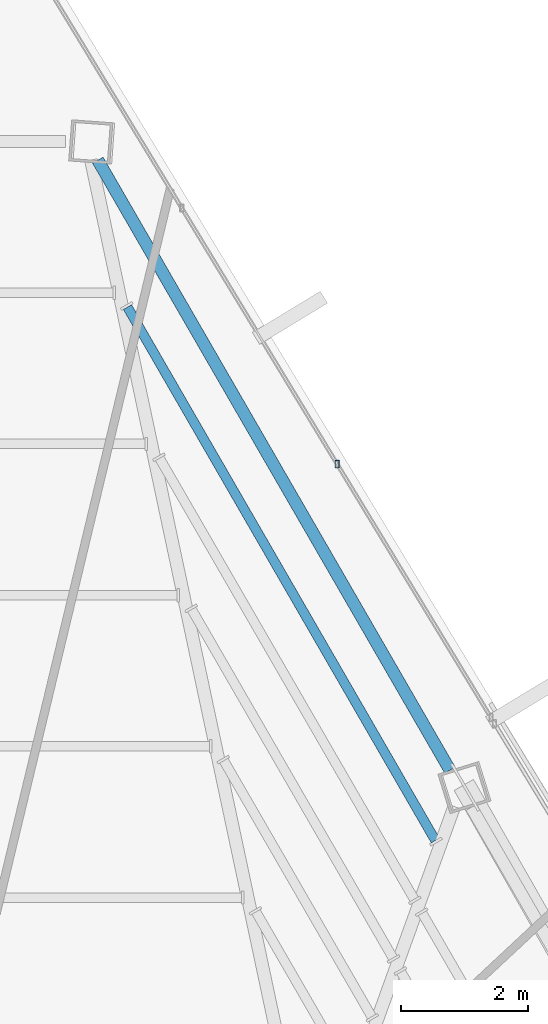
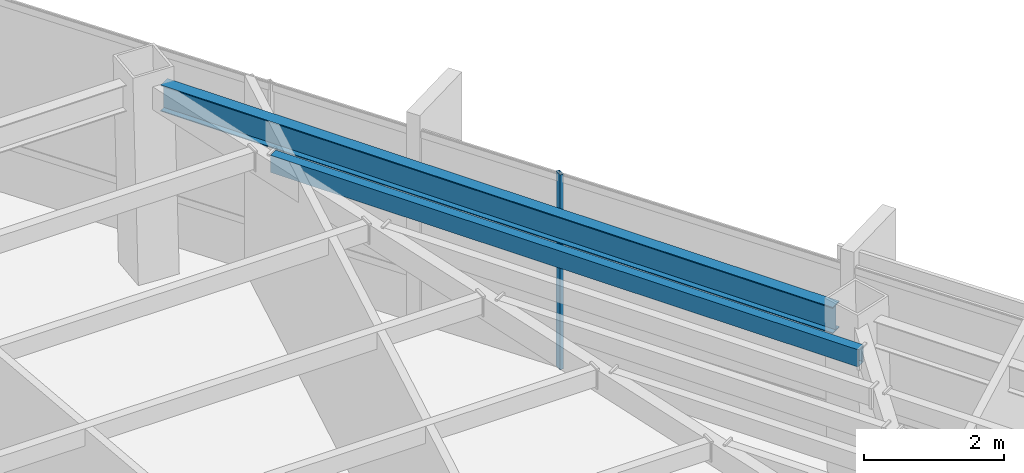
# One storey, part 36 of 47: 2 beams, 1 member, 1 element without a shape of its own.
"""IFC4 building model written with IfcOpenShell, lengths in metres."""

from ifc_helpers import new_model, si_unit, direction, frame, origin, origin_2d, place, context, subcontext, project, spatial, hollow_rectangle, i_section, extrude, source, transform, mapped, material, material_profile, profile_set, type_object, type_shapes, element, aggregate, save


model = new_model("IFC4")

# Units and contexts
model_context = context("Model", 3, precision=1e-05, world=origin(), true_north=direction((0.0, 1.0)))
body_context = subcontext(model_context, "Body", "Model", "MODEL_VIEW")
ifc_project = project(units=[si_unit("LENGTHUNIT", "METRE"), si_unit("AREAUNIT", "SQUARE_METRE"), si_unit("VOLUMEUNIT", "CUBIC_METRE"), si_unit("PLANEANGLEUNIT", "RADIAN"), si_unit("MASSUNIT", "GRAM", prefix="KILO")], contexts=[model_context])

# Site, building, storey
site_placement = place(None, origin())
site = spatial("IfcSite", under=ifc_project, at=site_placement, CompositionType="ELEMENT")
building_placement = place(site_placement, origin())
building = spatial("IfcBuilding", under=site, at=building_placement, Name="Caelisora Broadcast Tower", CompositionType="ELEMENT")
storey_placement = place(building_placement, frame((0.0, 0.0, 248.10009765625)))
storey = spatial("IfcBuildingStorey", under=building, at=storey_placement, Name="L65", CompositionType="ELEMENT", Elevation=248.10009765625)

# Beams
ifc_material_1 = material(Name="Steel Grade 350 (AS/NZS 3679.1)", Category="steel")
ifc_material_profile_1 = material_profile(ifc_material_1, i_section(OverallWidth=0.19091796875, OverallDepth=0.46044921875, WebThickness=0.010009765625, FlangeThickness=0.01611328125, at=origin_2d()), Name="Steel Grade 350 (AS/NZS 3679.1)")
ifc_profile_set_1 = profile_set([ifc_material_profile_1], Name="Steel Grade 350 (AS/NZS 3679.1)")
beam_type_1 = type_object("IfcBeamType", Name="PG06", PredefinedType="BEAM", material=ifc_profile_set_1)
shared_shape_1 = source(origin(), body_context, "Body", "SweptSolid", [
    extrude(i_section(OverallWidth=0.19091796875, OverallDepth=0.46044921875, WebThickness=0.010009765625, FlangeThickness=0.01611328125, at=origin_2d()), origin(), (0.0, 0.0, 1.0), 11.09130859375),
])
type_shapes(beam_type_1, [shared_shape_1])
beam_1_placement = place(storey_placement, frame((47.671875, 36.768310546875, 3.169677734375), z_axis=(-0.499995559283, 0.866027967618, 0.0), x_axis=(-0.866027967618, -0.499995559283, 0.0)))
element("IfcBeam", 1, at=beam_1_placement, inside=storey, type_object=beam_type_1, Name="L65 beam PG06", PredefinedType="BEAM", context=body_context, shape_type="MappedRepresentation", body=[
    mapped(shared_shape_1, transform((0.0, 0.0, 0.0), scale=1.0)),
])
ifc_material_2 = material(Name="Steel Grade 350 (AS/NZS 1163 C350L0)", Category="steel")
ifc_material_profile_2 = material_profile(ifc_material_2, hollow_rectangle(XDim=0.14990234375, YDim=0.300048828125, WallThickness=0.010009765625, at=origin_2d()), Name="Steel Grade 350 (AS/NZS 1163 C350L0)")
ifc_profile_set_2 = profile_set([ifc_material_profile_2], Name="Steel Grade 350 (AS/NZS 1163 C350L0)")
beam_type_2 = type_object("IfcBeamType", Name="SB05", PredefinedType="JOIST", material=ifc_profile_set_2)
shared_shape_2 = source(origin(), body_context, "Body", "SweptSolid", [
    extrude(hollow_rectangle(XDim=0.14990234375, YDim=0.300048828125, WallThickness=0.010009765625, at=origin_2d()), origin(), (0.0, 0.0, 1.0), 9.698486328125),
])
type_shapes(beam_type_2, [shared_shape_2])
beam_2_placement = place(storey_placement, frame((47.4423828125, 35.6611328125, 3.25), z_axis=(-0.499989024891, 0.866031740174, 0.0), x_axis=(-0.866031740174, -0.499989024891, 0.0)))
element("IfcBeam", 2, at=beam_2_placement, inside=storey, type_object=beam_type_2, Name="L65 beam SB05", PredefinedType="JOIST", context=body_context, shape_type="MappedRepresentation", body=[
    mapped(shared_shape_2, transform((0.0, 0.0, 0.0), scale=1.0)),
])

# Curtain wall, member
ifc_material_3 = material(Name="Unitised Aluminium and Low-E Glass Curtain Wall", Category="glass")
curtain_wall_type = type_object("IfcCurtainWallType", Name="CW-Z5", PredefinedType="NOTDEFINED", material=ifc_material_3)
curtain_wall_placement = place(storey_placement, origin())
curtain_wall = element("IfcCurtainWall", 3, at=curtain_wall_placement, inside=storey, type_object=curtain_wall_type, Name="L65 curtain wall CW-Z5", PredefinedType="NOTDEFINED")
ifc_material_4 = material(Name="Aluminium 6063-T6 Anodised Terracotta Bronze", Category="aluminium")
ifc_material_profile_3 = material_profile(ifc_material_4, hollow_rectangle(XDim=0.06005859375, YDim=0.1201171875, WallThickness=0.0029296875, at=origin_2d()), Name="Aluminium 6063-T6 Anodised Terracotta Bronze")
ifc_profile_set_3 = profile_set([ifc_material_profile_3], Name="Aluminium 6063-T6 Anodised Terracotta Bronze")
member_type = type_object("IfcMemberType", Name="CWM-04", PredefinedType="MULLION", material=ifc_profile_set_3)
shared_shape_3 = source(origin(), body_context, "Body", "SweptSolid", [
    extrude(hollow_rectangle(XDim=0.06005859375, YDim=0.1201171875, WallThickness=0.0029296875, at=origin_2d()), origin(), (0.0, 0.0, 1.0), 3.39990234375),
])
type_shapes(member_type, [shared_shape_3])
member_placement = place(storey_placement, frame((45.89599609375, 41.5869140625, 0.0), z_axis=(0.0, 0.0, 1.0), x_axis=(1.0, 0.0, 0.0)))
member = element("IfcMember", 4, at=member_placement, type_object=member_type, Name="L65-CW-B01 mullion #2", PredefinedType="MULLION", context=body_context, shape_type="MappedRepresentation", body=[
    mapped(shared_shape_3, transform((0.0, 0.0, 0.0), scale=1.0)),
])
aggregate(curtain_wall, [member])

save(model, "model.ifc")
